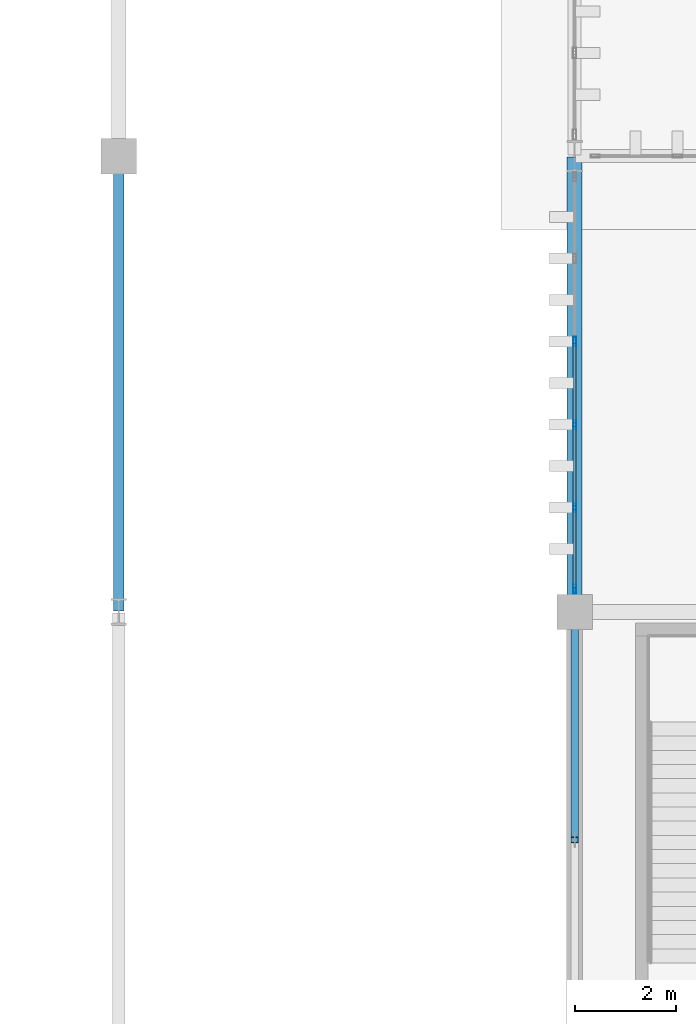
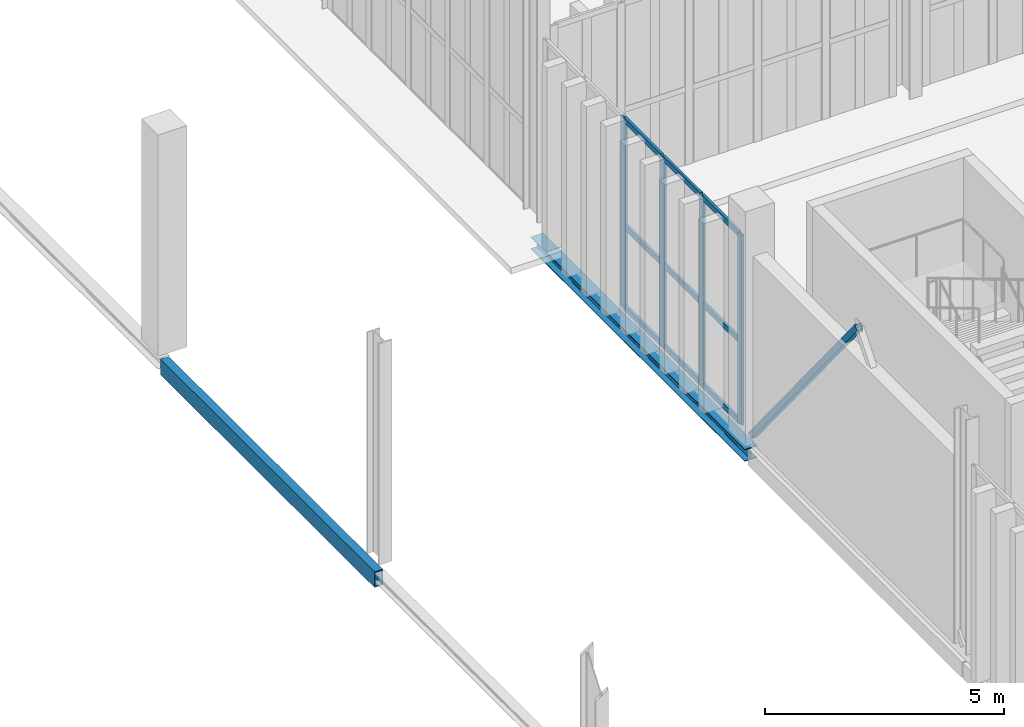
# One storey, part 103 of 237: 14 members, 2 beams, 1 element without a shape of its own.
"""IFC4 building model written with IfcOpenShell, lengths in metres."""

from ifc_helpers import new_model, si_unit, direction, frame, origin, origin_2d, place, context, subcontext, project, spatial, hollow_rectangle, i_section, extrude, material, layer, layer_set, material_profile, profile_set, type_object, element, aggregate, save


model = new_model("IFC4")

# Units and contexts
model_context = context("Model", 3, precision=1e-05, world=origin(), true_north=direction((0.0, 1.0)))
body_context = subcontext(model_context, "Body", "Model", "MODEL_VIEW")
ifc_project = project(units=[si_unit("LENGTHUNIT", "METRE"), si_unit("AREAUNIT", "SQUARE_METRE"), si_unit("VOLUMEUNIT", "CUBIC_METRE"), si_unit("PLANEANGLEUNIT", "RADIAN"), si_unit("MASSUNIT", "GRAM", prefix="KILO")], contexts=[model_context])

# Site, building, storey
site_placement = place(None, origin())
site = spatial("IfcSite", under=ifc_project, at=site_placement, CompositionType="ELEMENT")
building_placement = place(site_placement, origin())
building = spatial("IfcBuilding", under=site, at=building_placement, Name="Barlavento Convention Centre", CompositionType="ELEMENT")
storey_placement = place(building_placement, frame((0.0, 0.0, 12.0)))
storey = spatial("IfcBuildingStorey", under=building, at=storey_placement, Name="L02", CompositionType="ELEMENT", Elevation=12.0)

# Curtain wall, members
ifc_material_1 = material(Name="Powder-coated aluminium and Low-E glass", Category="aluminium")
ifc_layer = layer(ifc_material_1, 0.195068359375)
ifc_layer_set = layer_set([ifc_layer], Name="ARC-CW-BALL-L02")
curtain_wall_type = type_object("IfcCurtainWallType", Name="ARC-CW-BALL-L02", PredefinedType="NOTDEFINED", material=ifc_layer_set)
curtain_wall_placement = place(storey_placement, origin())
curtain_wall = element("IfcCurtainWall", 1, at=curtain_wall_placement, inside=storey, type_object=curtain_wall_type, Name="L02 unitised curtain wall CW07", PredefinedType="NOTDEFINED")
ifc_material_2 = material(Name="Powder-coated aluminium", Category="aluminium")
ifc_material_profile_1 = material_profile(ifc_material_2, hollow_rectangle(XDim=0.06005859375, YDim=0.179931640625, WallThickness=0.0048828125, at=origin_2d()), Name="AL-MULL 60x180x5")
ifc_profile_set_1 = profile_set([ifc_material_profile_1], Name="Powder-coated aluminium")
member_type_1 = type_object("IfcMemberType", Name="ARC-CWM-60X180", PredefinedType="MULLION", material=ifc_profile_set_1)
member_1_placement = place(storey_placement, frame((126.0, 90.449951171875, 0.0), z_axis=(0.0, 0.0, 1.0), x_axis=(-1.0, 0.0, 0.0)))
member_1 = element("IfcMember", 2, at=member_1_placement, type_object=member_type_1, Name="CW07 mullion 1", PredefinedType="MULLION", context=body_context, shape_type="SweptSolid", body=[
    extrude(hollow_rectangle(XDim=0.06005859375, YDim=0.179931640625, WallThickness=0.0048828125, at=origin_2d()), origin(), (0.0, 0.0, 1.0), 4.85009765625),
])
member_2_placement = place(storey_placement, frame((126.0, 92.06005859375, 0.0), z_axis=(0.0, 0.0, 1.0), x_axis=(-1.0, 0.0, 0.0)))
member_2 = element("IfcMember", 3, at=member_2_placement, type_object=member_type_1, Name="CW07 mullion 2", PredefinedType="MULLION", context=body_context, shape_type="SweptSolid", body=[
    extrude(hollow_rectangle(XDim=0.06005859375, YDim=0.179931640625, WallThickness=0.0048828125, at=origin_2d()), origin(), (0.0, 0.0, 1.0), 4.85009765625),
])
member_3_placement = place(storey_placement, frame((126.0, 93.699951171875, 0.0), z_axis=(0.0, 0.0, 1.0), x_axis=(-1.0, 0.0, 0.0)))
member_3 = element("IfcMember", 4, at=member_3_placement, type_object=member_type_1, Name="CW07 mullion 3", PredefinedType="MULLION", context=body_context, shape_type="SweptSolid", body=[
    extrude(hollow_rectangle(XDim=0.06005859375, YDim=0.179931640625, WallThickness=0.0048828125, at=origin_2d()), origin(), (0.0, 0.0, 1.0), 4.85009765625),
])
member_4_placement = place(storey_placement, frame((126.0, 95.340087890625, 0.0), z_axis=(0.0, 0.0, 1.0), x_axis=(-1.0, 0.0, 0.0)))
member_4 = element("IfcMember", 5, at=member_4_placement, type_object=member_type_1, Name="CW07 mullion 4", PredefinedType="MULLION", context=body_context, shape_type="SweptSolid", body=[
    extrude(hollow_rectangle(XDim=0.06005859375, YDim=0.179931640625, WallThickness=0.0048828125, at=origin_2d()), origin(), (0.0, 0.0, 1.0), 4.85009765625),
])
ifc_material_profile_2 = material_profile(ifc_material_2, hollow_rectangle(XDim=0.06005859375, YDim=0.139892578125, WallThickness=0.00390625, at=origin_2d()), Name="AL-TRAN 60x140x4")
ifc_profile_set_2 = profile_set([ifc_material_profile_2], Name="Powder-coated aluminium")
member_type_2 = type_object("IfcMemberType", Name="ARC-CWT-60X140", PredefinedType="USERDEFINED", material=ifc_profile_set_2)
member_5_placement = place(storey_placement, frame((126.0, 90.47998046875, 0.030029296875), z_axis=(0.0, 1.0, 0.0), x_axis=(-1.0, 0.0, 0.0)))
member_5 = element("IfcMember", 6, at=member_5_placement, type_object=member_type_2, Name="CW07 transom 1.1", ObjectType="TRANSOM", PredefinedType="USERDEFINED", context=body_context, shape_type="SweptSolid", body=[
    extrude(hollow_rectangle(XDim=0.06005859375, YDim=0.139892578125, WallThickness=0.00390625, at=origin_2d()), origin(), (0.0, 0.0, 1.0), 1.550048828125),
])
member_6_placement = place(storey_placement, frame((126.0, 90.47998046875, 2.10009765625), z_axis=(0.0, 1.0, 0.0), x_axis=(-1.0, 0.0, 0.0)))
member_6 = element("IfcMember", 7, at=member_6_placement, type_object=member_type_2, Name="CW07 transom 1.2", ObjectType="TRANSOM", PredefinedType="USERDEFINED", context=body_context, shape_type="SweptSolid", body=[
    extrude(hollow_rectangle(XDim=0.06005859375, YDim=0.139892578125, WallThickness=0.00390625, at=origin_2d()), origin(), (0.0, 0.0, 1.0), 1.550048828125),
])
member_7_placement = place(storey_placement, frame((126.0, 90.47998046875, 4.820068359375), z_axis=(0.0, 1.0, 0.0), x_axis=(-1.0, 0.0, 0.0)))
member_7 = element("IfcMember", 8, at=member_7_placement, type_object=member_type_2, Name="CW07 transom 1.3", ObjectType="TRANSOM", PredefinedType="USERDEFINED", context=body_context, shape_type="SweptSolid", body=[
    extrude(hollow_rectangle(XDim=0.06005859375, YDim=0.139892578125, WallThickness=0.00390625, at=origin_2d()), origin(), (0.0, 0.0, 1.0), 1.550048828125),
])
member_8_placement = place(storey_placement, frame((126.0, 92.090087890625, 0.030029296875), z_axis=(0.0, 1.0, 0.0), x_axis=(-1.0, 0.0, 0.0)))
member_8 = element("IfcMember", 9, at=member_8_placement, type_object=member_type_2, Name="CW07 transom 2.1", ObjectType="TRANSOM", PredefinedType="USERDEFINED", context=body_context, shape_type="SweptSolid", body=[
    extrude(hollow_rectangle(XDim=0.06005859375, YDim=0.139892578125, WallThickness=0.00390625, at=origin_2d()), origin(), (0.0, 0.0, 1.0), 1.579833984375),
])
member_9_placement = place(storey_placement, frame((126.0, 92.090087890625, 2.10009765625), z_axis=(0.0, 1.0, 0.0), x_axis=(-1.0, 0.0, 0.0)))
member_9 = element("IfcMember", 10, at=member_9_placement, type_object=member_type_2, Name="CW07 transom 2.2", ObjectType="TRANSOM", PredefinedType="USERDEFINED", context=body_context, shape_type="SweptSolid", body=[
    extrude(hollow_rectangle(XDim=0.06005859375, YDim=0.139892578125, WallThickness=0.00390625, at=origin_2d()), origin(), (0.0, 0.0, 1.0), 1.579833984375),
])
member_10_placement = place(storey_placement, frame((126.0, 92.090087890625, 4.820068359375), z_axis=(0.0, 1.0, 0.0), x_axis=(-1.0, 0.0, 0.0)))
member_10 = element("IfcMember", 11, at=member_10_placement, type_object=member_type_2, Name="CW07 transom 2.3", ObjectType="TRANSOM", PredefinedType="USERDEFINED", context=body_context, shape_type="SweptSolid", body=[
    extrude(hollow_rectangle(XDim=0.06005859375, YDim=0.139892578125, WallThickness=0.00390625, at=origin_2d()), origin(), (0.0, 0.0, 1.0), 1.579833984375),
])
member_11_placement = place(storey_placement, frame((126.0, 93.72998046875, 0.030029296875), z_axis=(0.0, 1.0, 0.0), x_axis=(-1.0, 0.0, 0.0)))
member_11 = element("IfcMember", 12, at=member_11_placement, type_object=member_type_2, Name="CW07 transom 3.1", ObjectType="TRANSOM", PredefinedType="USERDEFINED", context=body_context, shape_type="SweptSolid", body=[
    extrude(hollow_rectangle(XDim=0.06005859375, YDim=0.139892578125, WallThickness=0.00390625, at=origin_2d()), origin(), (0.0, 0.0, 1.0), 1.580078125),
])
member_12_placement = place(storey_placement, frame((126.0, 93.72998046875, 2.10009765625), z_axis=(0.0, 1.0, 0.0), x_axis=(-1.0, 0.0, 0.0)))
member_12 = element("IfcMember", 13, at=member_12_placement, type_object=member_type_2, Name="CW07 transom 3.2", ObjectType="TRANSOM", PredefinedType="USERDEFINED", context=body_context, shape_type="SweptSolid", body=[
    extrude(hollow_rectangle(XDim=0.06005859375, YDim=0.139892578125, WallThickness=0.00390625, at=origin_2d()), origin(), (0.0, 0.0, 1.0), 1.580078125),
])
member_13_placement = place(storey_placement, frame((126.0, 93.72998046875, 4.820068359375), z_axis=(0.0, 1.0, 0.0), x_axis=(-1.0, 0.0, 0.0)))
member_13 = element("IfcMember", 14, at=member_13_placement, type_object=member_type_2, Name="CW07 transom 3.3", ObjectType="TRANSOM", PredefinedType="USERDEFINED", context=body_context, shape_type="SweptSolid", body=[
    extrude(hollow_rectangle(XDim=0.06005859375, YDim=0.139892578125, WallThickness=0.00390625, at=origin_2d()), origin(), (0.0, 0.0, 1.0), 1.580078125),
])
aggregate(curtain_wall, [member_1, member_2, member_3, member_4, member_5, member_6, member_7, member_8, member_9, member_10, member_11, member_12, member_13])

# Beams
ifc_material_3 = material(Name="Steel S355", Category="steel")
ifc_material_profile_3 = material_profile(ifc_material_3, i_section(OverallWidth=0.300048828125, OverallDepth=0.31005859375, WebThickness=0.009033203125, FlangeThickness=0.015380859375, FilletRadius=0.027099609375, at=origin_2d()), Name="HEA 320")
ifc_profile_set_3 = profile_set([ifc_material_profile_3], Name="Steel S355")
beam_type_1 = type_object("IfcBeamType", Name="STR-BM-SPN-HEA320", PredefinedType="SPANDREL", material=ifc_profile_set_3)
beam_1_placement = place(storey_placement, frame((126.0, 90.02001953125, -0.52001953125), z_axis=(0.0, 1.0, 0.0), x_axis=(-1.0, 0.0, 0.0)))
element("IfcBeam", 15, at=beam_1_placement, inside=storey, type_object=beam_type_1, Name="L02 grid girder SP01", PredefinedType="SPANDREL", context=body_context, shape_type="SweptSolid", body=[
    extrude(i_section(OverallWidth=0.300048828125, OverallDepth=0.31005859375, WebThickness=0.009033203125, FlangeThickness=0.015380859375, FilletRadius=0.027099609375, at=origin_2d()), origin(), (0.0, 0.0, 1.0), 8.9599609375),
])
ifc_material_profile_4 = material_profile(ifc_material_3, hollow_rectangle(XDim=0.199951171875, YDim=0.39990234375, WallThickness=0.01611328125, at=origin_2d()), Name="RHS 400x200x16.0")
ifc_profile_set_4 = profile_set([ifc_material_profile_4], Name="Steel S355")
beam_type_2 = type_object("IfcBeamType", Name="STR-BM-SPN-RHS400", PredefinedType="SPANDREL", material=ifc_profile_set_4)
beam_2_placement = place(storey_placement, frame((117.0, 90.02001953125, -0.56005859375), z_axis=(0.0, 1.0, 0.0), x_axis=(-1.0, 0.0, 0.0)))
element("IfcBeam", 16, at=beam_2_placement, inside=storey, type_object=beam_type_2, Name="L02 grid girder SP06", PredefinedType="SPANDREL", context=body_context, shape_type="SweptSolid", body=[
    extrude(hollow_rectangle(XDim=0.199951171875, YDim=0.39990234375, WallThickness=0.01611328125, at=origin_2d()), origin(), (0.0, 0.0, 1.0), 8.9599609375),
])

# Member
ifc_material_profile_5 = material_profile(ifc_material_3, hollow_rectangle(XDim=0.14990234375, YDim=0.14990234375, WallThickness=0.008056640625, at=origin_2d()), Name="SHS 150x150x8.0")
ifc_profile_set_5 = profile_set([ifc_material_profile_5], Name="Steel S355")
member_type_3 = type_object("IfcMemberType", Name="STR-MEM-BRC-SHS150", PredefinedType="BRACE", material=ifc_profile_set_5)
member_14_placement = place(storey_placement, frame((126.0, 89.949951171875, 0.0), z_axis=(0.0, -0.631766299865, 0.775158914258), x_axis=(1.0, 0.0, 0.0)))
element("IfcMember", 17, at=member_14_placement, inside=storey, type_object=member_type_3, Name="Concentric lateral chevron brace BF04", PredefinedType="BRACE", context=body_context, shape_type="SweptSolid", body=[
    extrude(hollow_rectangle(XDim=0.14990234375, YDim=0.14990234375, WallThickness=0.008056640625, at=origin_2d()), origin(), (0.0, 0.0, 1.0), 7.043701171875),
])

save(model, "model.ifc")
